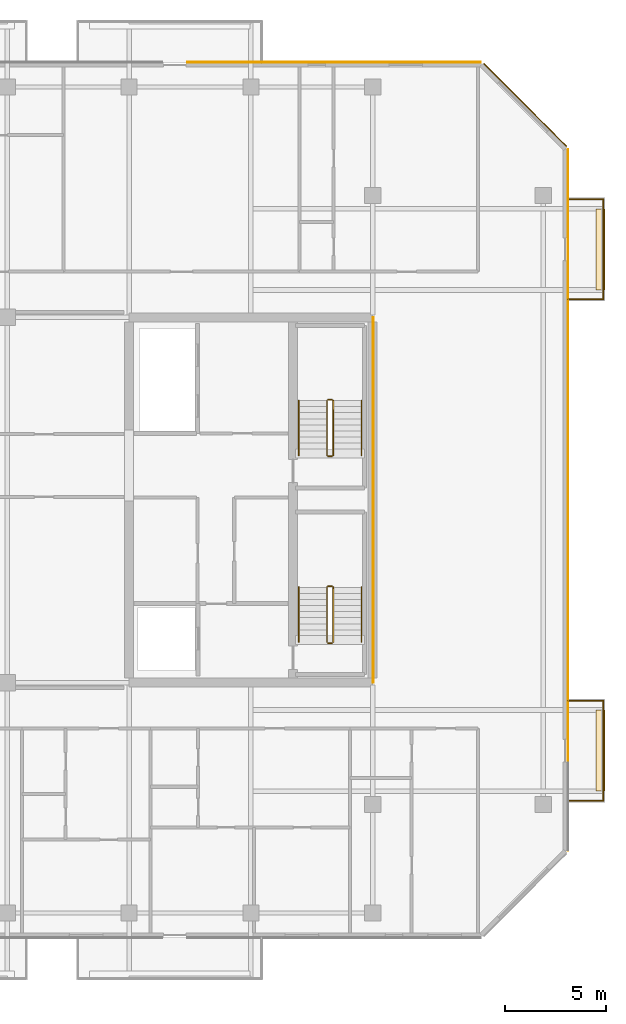
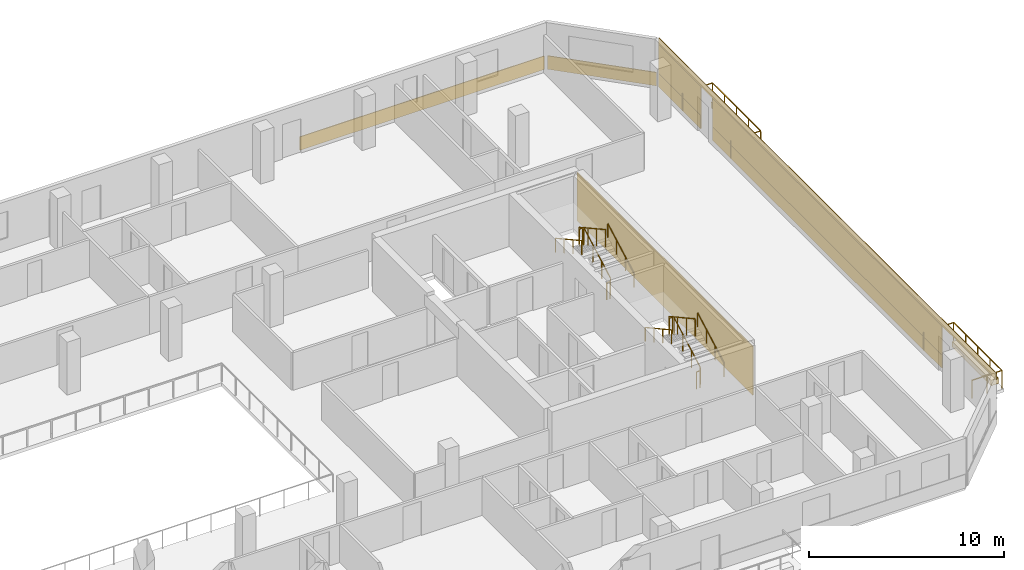
# One storey, part 20 of 20: 14 railings, 10 coverings.
"""IFC4 building model written with IfcOpenShell, lengths in metres."""

from ifc_helpers import new_model, si_unit, direction, frame, origin, origin_2d, place, context, subcontext, project, spatial, polyline, rectangle, outline, extrude, material, layer, layer_set, type_object, element, save


model = new_model("IFC4")

# Units and contexts
model_context = context("Model", 3, precision=1e-05, world=origin(), true_north=direction((0.0, 1.0)))
body_context = subcontext(model_context, "Body", "Model", "MODEL_VIEW")
ifc_project = project(units=[si_unit("LENGTHUNIT", "METRE"), si_unit("AREAUNIT", "SQUARE_METRE"), si_unit("VOLUMEUNIT", "CUBIC_METRE"), si_unit("PLANEANGLEUNIT", "RADIAN"), si_unit("MASSUNIT", "GRAM", prefix="KILO")], contexts=[model_context])

# Site, building, storey
site_placement = place(None, origin())
site = spatial("IfcSite", under=ifc_project, at=site_placement, CompositionType="ELEMENT")
building_placement = place(site_placement, origin())
building = spatial("IfcBuilding", under=site, at=building_placement, Name="Tanjung Sevakor Pilgrim Tower", CompositionType="ELEMENT")
storey_placement = place(building_placement, frame((0.0, 0.0, 201.6298828125)))
storey = spatial("IfcBuildingStorey", under=building, at=storey_placement, Name="L56", CompositionType="ELEMENT", Elevation=201.6298828125)

# Coverings
ifc_material_1 = material(Name="Reconstructed Limestone Cladding", Category="masonry")
ifc_layer_1 = layer(ifc_material_1, 0.044921875)
ifc_layer_set_1 = layer_set([ifc_layer_1], Name="COV-CLAD-LIMESTONE")
covering_type_1 = type_object("IfcCoveringType", Name="COV-CLAD-LIMESTONE", PredefinedType="CLADDING", material=ifc_layer_set_1)
covering_1_placement = place(storey_placement, frame((99.62255859375, 33.60009765625, 0.01025390625), z_axis=(0.0, 0.0, 1.0), x_axis=(0.0, 1.0, 0.0)))
element("IfcCovering", 1, at=covering_1_placement, inside=storey, type_object=covering_type_1, Name="L56 Warm Limestone Sill Spandrel EW-L56-MAIN-7-2", PredefinedType="CLADDING", context=body_context, shape_type="SweptSolid", body=[
    extrude(rectangle(XDim=23.47998046875, YDim=0.044921875, at=origin_2d()), origin(), (0.0, 0.0, 1.0), 0.840087890625),
])
covering_2_placement = place(storey_placement, frame((99.62255859375, 48.712158203125, 0.01025390625), z_axis=(0.0, 0.0, 1.0), x_axis=(0.0, 1.0, 0.0)))
element("IfcCovering", 2, at=covering_2_placement, inside=storey, type_object=covering_type_1, Name="L56 Warm Limestone Sill Spandrel EW-L56-MAIN-7-3", PredefinedType="CLADDING", context=body_context, shape_type="SweptSolid", body=[
    extrude(rectangle(XDim=4.304443359375, YDim=0.044921875, at=origin_2d()), origin(), (0.0, 0.0, 1.0), 0.840087890625),
])
covering_3_placement = place(storey_placement, frame((99.62255859375, 33.60009765625, 2.66015625), z_axis=(0.0, 0.0, 1.0), x_axis=(0.0, 1.0, 0.0)))
element("IfcCovering", 3, at=covering_3_placement, inside=storey, type_object=covering_type_1, Name="L56 Warm Limestone Cornice Spandrel EW-L56-MAIN-7", PredefinedType="CLADDING", context=body_context, shape_type="SweptSolid", body=[
    extrude(rectangle(XDim=34.56884765625, YDim=0.044921875, at=origin_2d()), origin(), (0.0, 0.0, 1.0), 0.409912109375),
])
covering_4_placement = place(storey_placement, frame((99.62255859375, 33.60009765625, 0.85009765625), z_axis=(0.0, 0.0, 1.0), x_axis=(0.0, 1.0, 0.0)))
element("IfcCovering", 4, at=covering_4_placement, inside=storey, type_object=covering_type_1, Name="L56 Warm Limestone Pier Panel EW-L56-MAIN-7-2", PredefinedType="CLADDING", context=body_context, shape_type="SweptSolid", body=[
    extrude(rectangle(XDim=23.5, YDim=0.044921875, at=origin_2d()), origin(), (0.0, 0.0, 1.0), 1.81005859375),
])
covering_5_placement = place(storey_placement, frame((99.62255859375, 48.707275390625, 0.85009765625), z_axis=(0.0, 0.0, 1.0), x_axis=(0.0, 1.0, 0.0)))
element("IfcCovering", 5, at=covering_5_placement, inside=storey, type_object=covering_type_1, Name="L56 Warm Limestone Pier Panel EW-L56-MAIN-7-3", PredefinedType="CLADDING", context=body_context, shape_type="SweptSolid", body=[
    extrude(rectangle(XDim=4.314453125, YDim=0.044921875, at=origin_2d()), origin(), (0.0, 0.0, 1.0), 1.81005859375),
])
covering_6_placement = place(storey_placement, frame((97.515869140625, 53.06591796875, 0.01025390625), z_axis=(0.0, 0.0, 1.0), x_axis=(-0.707106781187, 0.707106781187, 0.0)))
element("IfcCovering", 6, at=covering_6_placement, inside=storey, type_object=covering_type_1, Name="L56 Warm Limestone Sill Spandrel EW-CHM-L56-MAIN-7-1", PredefinedType="CLADDING", context=body_context, shape_type="SweptSolid", body=[
    extrude(rectangle(XDim=5.7685546875, YDim=0.044921875, at=origin_2d()), origin(), (0.0, 0.0, 1.0), 0.840087890625),
])
covering_7_placement = place(storey_placement, frame((88.087158203125, 55.172607421875, 0.01025390625), z_axis=(0.0, 0.0, 1.0), x_axis=(-1.0, 0.0, 0.0)))
element("IfcCovering", 7, at=covering_7_placement, inside=storey, type_object=covering_type_1, Name="L56 Warm Limestone Sill Spandrel EW-L56-MAIN-9-1", PredefinedType="CLADDING", context=body_context, shape_type="SweptSolid", body=[
    extrude(rectangle(XDim=14.454345703125, YDim=0.044921875, at=origin_2d()), origin(), (0.0, 0.0, 1.0), 0.840087890625),
])
covering_8_placement = place(storey_placement, frame((90.0224609375, 33.60009765625, 0.02001953125), z_axis=(0.0, 0.0, 1.0), x_axis=(1.0, 0.0, 0.0)))
element("IfcCovering", 8, at=covering_8_placement, inside=storey, type_object=covering_type_1, Name="L56 Expressed Core Warm Limestone Cladding E", PredefinedType="CLADDING", context=body_context, shape_type="SweptSolid", body=[
    extrude(rectangle(XDim=0.044921875, YDim=18.0, at=origin_2d()), origin(), (0.0, 0.0, 1.0), 3.0400390625),
])
ifc_material_2 = material(Name="Vegetated Modular Planter Assembly", Category="organic")
ifc_layer_2 = layer(ifc_material_2, 0.35009765625)
ifc_layer_set_2 = layer_set([ifc_layer_2], Name="COV-GRN-TROUGH")
covering_type_2 = type_object("IfcCoveringType", Name="COV-GRN-TROUGH", PredefinedType="CLADDING", material=ifc_layer_set_2)
covering_9_placement = place(storey_placement, origin())
element("IfcCovering", 9, at=covering_9_placement, inside=storey, type_object=covering_type_2, Name="L56 Planted Landscape Hedge Trough BGRN-L56-MAIN-E1", PredefinedType="CLADDING", context=body_context, shape_type="SweptSolid", body=[
    extrude(outline(polyline([(101.449951171875, 19.25), (101.449951171875, 23.25), (101.010009765625, 23.25), (101.010009765625, 19.25), (101.449951171875, 19.25)])), origin(), (0.0, 0.0, 1.0), 0.35009765625),
])
covering_10_placement = place(storey_placement, origin())
element("IfcCovering", 10, at=covering_10_placement, inside=storey, type_object=covering_type_2, Name="L56 Planted Landscape Hedge Trough BGRN-L56-MAIN-E2", PredefinedType="CLADDING", context=body_context, shape_type="SweptSolid", body=[
    extrude(outline(polyline([(101.449951171875, 43.949951171875), (101.449951171875, 47.949951171875), (101.010009765625, 47.949951171875), (101.010009765625, 43.949951171875), (101.449951171875, 43.949951171875)])), origin(), (0.0, 0.0, 1.0), 0.35009765625),
])

# Railings
ifc_material_3 = material(Name="Laminated Glass and Aluminium", Category="aluminium")
railing_type_1 = type_object("IfcRailingType", Name="RL-BAL-BALUST", PredefinedType="BALUSTRADE", material=ifc_material_3)
for number, where, name in (
    (11, (99.60009765625, 18.780029296875, 0.0), "L56 Loggia Balustrade MAIN-E1"),
    (12, (99.60009765625, 43.47998046875, 0.0), "L56 Loggia Balustrade MAIN-E2"),
):
    element("IfcRailing", number, at=place(storey_placement, frame(where)), inside=storey, type_object=railing_type_1, Name=name, PredefinedType="BALUSTRADE", context=body_context, shape_type="SweptSolid", body=[
        extrude(rectangle(XDim=0.0479, YDim=0.0479), frame((0.0, 0.0, 1.1259765625), z_axis=(1.0, 0.0, 0.0), x_axis=(0.0, 1.0, 0.0)), (0.0, 0.0, 1.0), 1.77001953125),
        extrude(rectangle(XDim=0.0479, YDim=0.0479), frame((1.77001953125, 0.0, 1.1259765625), z_axis=(0.0, 1.0, 0.0), x_axis=(-1.0, 0.0, 0.0)), (0.0, 0.0, 1.0), 4.93994140625),
        extrude(rectangle(XDim=0.0479, YDim=0.0479), frame((1.77001953125, 4.93994140625, 1.1259765625), z_axis=(-1.0, 0.0, 0.0), x_axis=(0.0, -1.0, 0.0)), (0.0, 0.0, 1.0), 1.77001953125),
        extrude(rectangle(XDim=0.042, YDim=0.042), origin(), (0.0, 0.0, 1.0), 1.101806640625),
        extrude(rectangle(XDim=0.042, YDim=0.042), frame((0.885009765625, 0.0, 0.0)), (0.0, 0.0, 1.0), 1.101806640625),
        extrude(rectangle(XDim=0.042, YDim=0.042), frame((1.77001953125, 0.0, 0.0)), (0.0, 0.0, 1.0), 1.101806640625),
        extrude(rectangle(XDim=0.042, YDim=0.042), frame((1.77001953125, 1.23486328125, 0.0)), (0.0, 0.0, 1.0), 1.101806640625),
        extrude(rectangle(XDim=0.042, YDim=0.042), frame((1.77001953125, 2.469970703125, 0.0)), (0.0, 0.0, 1.0), 1.101806640625),
        extrude(rectangle(XDim=0.042, YDim=0.042), frame((1.77001953125, 3.705078125, 0.0)), (0.0, 0.0, 1.0), 1.101806640625),
        extrude(rectangle(XDim=0.042, YDim=0.042), frame((1.77001953125, 4.93994140625, 0.0)), (0.0, 0.0, 1.0), 1.101806640625),
        extrude(rectangle(XDim=0.042, YDim=0.042), frame((0.885009765625, 4.93994140625, 0.0)), (0.0, 0.0, 1.0), 1.101806640625),
        extrude(rectangle(XDim=0.042, YDim=0.042), frame((0.0, 4.93994140625, 0.0)), (0.0, 0.0, 1.0), 1.101806640625),
    ])
ifc_material_4 = material(Name="Steel S355J2", Category="steel")
railing_type_2 = type_object("IfcRailingType", Name="RL-STAIR-GUARD", PredefinedType="GUARDRAIL", material=ifc_material_4)
railing_1_placement = place(storey_placement, frame((88.050048828125, 26.60009765625, 0.1650390625)))
element("IfcRailing", 13, at=railing_1_placement, inside=storey, type_object=railing_type_2, Name="L56 TS-E1 stair guard 1", PredefinedType="GUARDRAIL", context=body_context, shape_type="SweptSolid", body=[
    extrude(rectangle(XDim=0.0479, YDim=0.0479), frame((0.0, 0.0, 1.076171875), z_axis=(0.0, 0.876197507361, 0.481952205197), x_axis=(-1.0, 0.0, 0.0)), (0.0, 0.0, 1.0), 3.08154296875),
    extrude(rectangle(XDim=0.042, YDim=0.042), origin(), (0.0, 0.0, 1.0), 1.052001953125),
    extrude(rectangle(XDim=0.042, YDim=0.042), frame((0.0, 0.89990234375, 0.4951171875)), (0.0, 0.0, 1.0), 1.052001953125),
    extrude(rectangle(XDim=0.042, YDim=0.042), frame((0.0, 1.800048828125, 0.989990234375)), (0.0, 0.0, 1.0), 1.052001953125),
    extrude(rectangle(XDim=0.042, YDim=0.042), frame((0.0, 2.699951171875, 1.485107421875)), (0.0, 0.0, 1.0), 1.052001953125),
])
railing_2_placement = place(storey_placement, frame((88.0, 29.35009765625, 1.650146484375)))
element("IfcRailing", 14, at=railing_2_placement, inside=storey, type_object=railing_type_2, Name="L56 TS-E1 stair guard 2", PredefinedType="GUARDRAIL", context=body_context, shape_type="SweptSolid", body=[
    extrude(rectangle(XDim=0.0479, YDim=0.0479), frame((0.0, 0.0, 1.076171875), z_axis=(-1.0, 0.0, 0.0), x_axis=(0.0, -1.0, 0.0)), (0.0, 0.0, 1.0), 0.199951171875),
    extrude(rectangle(XDim=0.042, YDim=0.042), origin(), (0.0, 0.0, 1.0), 1.052001953125),
    extrude(rectangle(XDim=0.042, YDim=0.042), frame((-0.199951171875, 0.0, 0.0)), (0.0, 0.0, 1.0), 1.052001953125),
])
railing_3_placement = place(storey_placement, frame((87.75, 29.300048828125, 1.815185546875)))
element("IfcRailing", 15, at=railing_3_placement, inside=storey, type_object=railing_type_2, Name="L56 TS-E1 stair guard 3", PredefinedType="GUARDRAIL", context=body_context, shape_type="SweptSolid", body=[
    extrude(rectangle(XDim=0.0479, YDim=0.0479), frame((0.0, 0.0, 1.076171875), z_axis=(0.0, -0.876230963923, 0.481891375584), x_axis=(1.0, 0.0, 0.0)), (0.0, 0.0, 1.0), 3.081298828125),
    extrude(rectangle(XDim=0.042, YDim=0.042), origin(), (0.0, 0.0, 1.0), 1.052001953125),
    extrude(rectangle(XDim=0.042, YDim=0.042), frame((0.0, -0.89990234375, 0.494873046875)), (0.0, 0.0, 1.0), 1.052001953125),
    extrude(rectangle(XDim=0.042, YDim=0.042), frame((0.0, -1.800048828125, 0.989990234375)), (0.0, 0.0, 1.0), 1.052001953125),
    extrude(rectangle(XDim=0.042, YDim=0.042), frame((0.0, -2.699951171875, 1.48486328125)), (0.0, 0.0, 1.0), 1.052001953125),
])
railing_4_placement = place(storey_placement, frame((88.0, 26.550048828125, 0.0)))
element("IfcRailing", 16, at=railing_4_placement, inside=storey, type_object=railing_type_2, Name="L56 TS-E1 stair guard 4", PredefinedType="GUARDRAIL", context=body_context, shape_type="SweptSolid", body=[
    extrude(rectangle(XDim=0.0479, YDim=0.0479), frame((0.0, 0.0, 1.076171875), z_axis=(-1.0, 0.0, 0.0), x_axis=(0.0, -1.0, 0.0)), (0.0, 0.0, 1.0), 0.199951171875),
    extrude(rectangle(XDim=0.042, YDim=0.042), origin(), (0.0, 0.0, 1.0), 1.052001953125),
    extrude(rectangle(XDim=0.042, YDim=0.042), frame((-0.199951171875, 0.0, 0.0)), (0.0, 0.0, 1.0), 1.052001953125),
])
railing_5_placement = place(storey_placement, frame((88.050048828125, 35.800048828125, 0.1650390625)))
element("IfcRailing", 17, at=railing_5_placement, inside=storey, type_object=railing_type_2, Name="L56 TS-E2 stair guard 1", PredefinedType="GUARDRAIL", context=body_context, shape_type="SweptSolid", body=[
    extrude(rectangle(XDim=0.0479, YDim=0.0479), frame((0.0, 0.0, 1.076171875), z_axis=(0.0, 0.876197507361, 0.481952205197), x_axis=(-1.0, 0.0, 0.0)), (0.0, 0.0, 1.0), 3.08154296875),
    extrude(rectangle(XDim=0.042, YDim=0.042), origin(), (0.0, 0.0, 1.0), 1.052001953125),
    extrude(rectangle(XDim=0.042, YDim=0.042), frame((0.0, 0.89990234375, 0.4951171875)), (0.0, 0.0, 1.0), 1.052001953125),
    extrude(rectangle(XDim=0.042, YDim=0.042), frame((0.0, 1.800048828125, 0.989990234375)), (0.0, 0.0, 1.0), 1.052001953125),
    extrude(rectangle(XDim=0.042, YDim=0.042), frame((0.0, 2.699951171875, 1.485107421875)), (0.0, 0.0, 1.0), 1.052001953125),
])
railing_6_placement = place(storey_placement, frame((88.0, 38.550048828125, 1.650146484375)))
element("IfcRailing", 18, at=railing_6_placement, inside=storey, type_object=railing_type_2, Name="L56 TS-E2 stair guard 2", PredefinedType="GUARDRAIL", context=body_context, shape_type="SweptSolid", body=[
    extrude(rectangle(XDim=0.0479, YDim=0.0479), frame((0.0, 0.0, 1.076171875), z_axis=(-1.0, 0.0, 0.0), x_axis=(0.0, -1.0, 0.0)), (0.0, 0.0, 1.0), 0.199951171875),
    extrude(rectangle(XDim=0.042, YDim=0.042), origin(), (0.0, 0.0, 1.0), 1.052001953125),
    extrude(rectangle(XDim=0.042, YDim=0.042), frame((-0.199951171875, 0.0, 0.0)), (0.0, 0.0, 1.0), 1.052001953125),
])
railing_7_placement = place(storey_placement, frame((87.75, 38.5, 1.815185546875)))
element("IfcRailing", 19, at=railing_7_placement, inside=storey, type_object=railing_type_2, Name="L56 TS-E2 stair guard 3", PredefinedType="GUARDRAIL", context=body_context, shape_type="SweptSolid", body=[
    extrude(rectangle(XDim=0.0479, YDim=0.0479), frame((0.0, 0.0, 1.076171875), z_axis=(0.0, -0.876230963923, 0.481891375584), x_axis=(1.0, 0.0, 0.0)), (0.0, 0.0, 1.0), 3.081298828125),
    extrude(rectangle(XDim=0.042, YDim=0.042), origin(), (0.0, 0.0, 1.0), 1.052001953125),
    extrude(rectangle(XDim=0.042, YDim=0.042), frame((0.0, -0.89990234375, 0.494873046875)), (0.0, 0.0, 1.0), 1.052001953125),
    extrude(rectangle(XDim=0.042, YDim=0.042), frame((0.0, -1.800048828125, 0.989990234375)), (0.0, 0.0, 1.0), 1.052001953125),
    extrude(rectangle(XDim=0.042, YDim=0.042), frame((0.0, -2.699951171875, 1.48486328125)), (0.0, 0.0, 1.0), 1.052001953125),
])
railing_8_placement = place(storey_placement, frame((88.0, 35.75, 0.0)))
element("IfcRailing", 20, at=railing_8_placement, inside=storey, type_object=railing_type_2, Name="L56 TS-E2 stair guard 4", PredefinedType="GUARDRAIL", context=body_context, shape_type="SweptSolid", body=[
    extrude(rectangle(XDim=0.0479, YDim=0.0479), frame((0.0, 0.0, 1.076171875), z_axis=(-1.0, 0.0, 0.0), x_axis=(0.0, -1.0, 0.0)), (0.0, 0.0, 1.0), 0.199951171875),
    extrude(rectangle(XDim=0.042, YDim=0.042), origin(), (0.0, 0.0, 1.0), 1.052001953125),
    extrude(rectangle(XDim=0.042, YDim=0.042), frame((-0.199951171875, 0.0, 0.0)), (0.0, 0.0, 1.0), 1.052001953125),
])
ifc_material_5 = material(Name="Steel S355J2", Category="steel")
railing_type_3 = type_object("IfcRailingType", Name="RL-STAIR-HAND", PredefinedType="HANDRAIL", material=ifc_material_5)
railing_9_placement = place(storey_placement, frame((89.449951171875, 26.60009765625, 0.1650390625)))
element("IfcRailing", 21, at=railing_9_placement, inside=storey, type_object=railing_type_3, Name="L56 TS-E1 stair handrail 1", PredefinedType="HANDRAIL", context=body_context, shape_type="SweptSolid", body=[
    extrude(rectangle(XDim=0.0479, YDim=0.0479), frame((0.0, 0.0, 0.8759765625), z_axis=(0.0, 0.876197507361, 0.481952205197), x_axis=(-1.0, 0.0, 0.0)), (0.0, 0.0, 1.0), 3.08154296875),
    extrude(rectangle(XDim=0.042, YDim=0.042), origin(), (0.0, 0.0, 1.0), 0.851806640625),
    extrude(rectangle(XDim=0.042, YDim=0.042), frame((0.0, 0.89990234375, 0.4951171875)), (0.0, 0.0, 1.0), 0.851806640625),
    extrude(rectangle(XDim=0.042, YDim=0.042), frame((0.0, 1.800048828125, 0.989990234375)), (0.0, 0.0, 1.0), 0.851806640625),
    extrude(rectangle(XDim=0.042, YDim=0.042), frame((0.0, 2.699951171875, 1.485107421875)), (0.0, 0.0, 1.0), 0.851806640625),
])
railing_10_placement = place(storey_placement, frame((86.35009765625, 29.300048828125, 1.815185546875)))
element("IfcRailing", 22, at=railing_10_placement, inside=storey, type_object=railing_type_3, Name="L56 TS-E1 stair handrail 2", PredefinedType="HANDRAIL", context=body_context, shape_type="SweptSolid", body=[
    extrude(rectangle(XDim=0.0479, YDim=0.0479), frame((0.0, 0.0, 0.8759765625), z_axis=(0.0, -0.876230963923, 0.481891375584), x_axis=(1.0, 0.0, 0.0)), (0.0, 0.0, 1.0), 3.081298828125),
    extrude(rectangle(XDim=0.042, YDim=0.042), origin(), (0.0, 0.0, 1.0), 0.851806640625),
    extrude(rectangle(XDim=0.042, YDim=0.042), frame((0.0, -0.89990234375, 0.494873046875)), (0.0, 0.0, 1.0), 0.851806640625),
    extrude(rectangle(XDim=0.042, YDim=0.042), frame((0.0, -1.800048828125, 0.989990234375)), (0.0, 0.0, 1.0), 0.851806640625),
    extrude(rectangle(XDim=0.042, YDim=0.042), frame((0.0, -2.699951171875, 1.48486328125)), (0.0, 0.0, 1.0), 0.851806640625),
])
railing_11_placement = place(storey_placement, frame((89.449951171875, 35.800048828125, 0.1650390625)))
element("IfcRailing", 23, at=railing_11_placement, inside=storey, type_object=railing_type_3, Name="L56 TS-E2 stair handrail 1", PredefinedType="HANDRAIL", context=body_context, shape_type="SweptSolid", body=[
    extrude(rectangle(XDim=0.0479, YDim=0.0479), frame((0.0, 0.0, 0.8759765625), z_axis=(0.0, 0.876197507361, 0.481952205197), x_axis=(-1.0, 0.0, 0.0)), (0.0, 0.0, 1.0), 3.08154296875),
    extrude(rectangle(XDim=0.042, YDim=0.042), origin(), (0.0, 0.0, 1.0), 0.851806640625),
    extrude(rectangle(XDim=0.042, YDim=0.042), frame((0.0, 0.89990234375, 0.4951171875)), (0.0, 0.0, 1.0), 0.851806640625),
    extrude(rectangle(XDim=0.042, YDim=0.042), frame((0.0, 1.800048828125, 0.989990234375)), (0.0, 0.0, 1.0), 0.851806640625),
    extrude(rectangle(XDim=0.042, YDim=0.042), frame((0.0, 2.699951171875, 1.485107421875)), (0.0, 0.0, 1.0), 0.851806640625),
])
railing_12_placement = place(storey_placement, frame((86.35009765625, 38.5, 1.815185546875)))
element("IfcRailing", 24, at=railing_12_placement, inside=storey, type_object=railing_type_3, Name="L56 TS-E2 stair handrail 2", PredefinedType="HANDRAIL", context=body_context, shape_type="SweptSolid", body=[
    extrude(rectangle(XDim=0.0479, YDim=0.0479), frame((0.0, 0.0, 0.8759765625), z_axis=(0.0, -0.876230963923, 0.481891375584), x_axis=(1.0, 0.0, 0.0)), (0.0, 0.0, 1.0), 3.081298828125),
    extrude(rectangle(XDim=0.042, YDim=0.042), origin(), (0.0, 0.0, 1.0), 0.851806640625),
    extrude(rectangle(XDim=0.042, YDim=0.042), frame((0.0, -0.89990234375, 0.494873046875)), (0.0, 0.0, 1.0), 0.851806640625),
    extrude(rectangle(XDim=0.042, YDim=0.042), frame((0.0, -1.800048828125, 0.989990234375)), (0.0, 0.0, 1.0), 0.851806640625),
    extrude(rectangle(XDim=0.042, YDim=0.042), frame((0.0, -2.699951171875, 1.48486328125)), (0.0, 0.0, 1.0), 0.851806640625),
])

save(model, "model.ifc")
